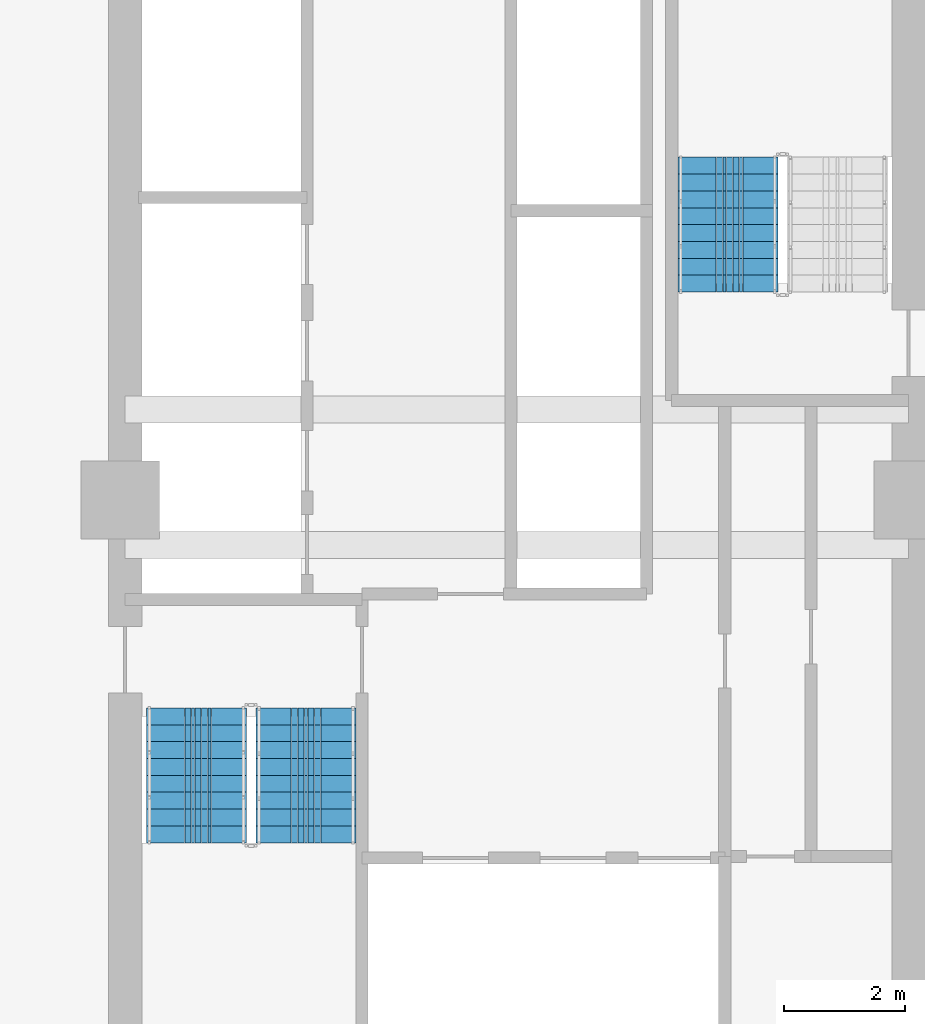
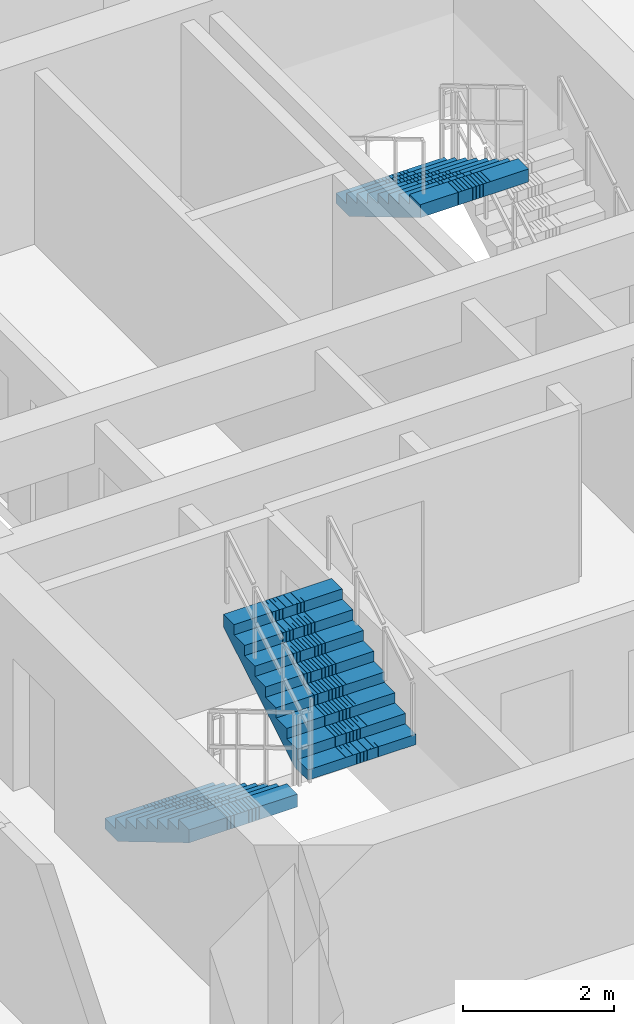
# One storey, part 9 of 14: 3 stair flights, 2 elements without a shape of their own.
"""IFC4 building model written with IfcOpenShell, lengths in metres."""

import ifcopenshell
import ifcopenshell.guid

model = None  # the IFC model being written
_history = None  # IfcOwnerHistory: only IFC2X3 demands one
_inside = {}  # id of a spatial element -> (the spatial element, [elements in it])
_under = {}  # id of a project, library or spatial element -> (it, [spatial elements below it])
_declared = {}  # id of a project -> (the project, [libraries it declares])
_typed = {}  # id of a type object -> (the type object, [elements of that type])
_made_of = {}  # id of a material, layer set ... -> (it, [elements and type objects made of it])


def new_model(schema):
    """Start an empty IFC model of exactly this schema.

    Asked for "IFC4X3", IfcOpenShell would pick the latest addendum, in which some entities
    have other attributes; the version numbers below select the first issue.
    IFC2X3 requires an IfcOwnerHistory on every rooted entity: one is made here for all.
    """
    global model, _history
    if schema == "IFC4X3":
        model = ifcopenshell.file(schema_version=(4, 3, 0, 0))
    else:
        model = ifcopenshell.file(schema=schema)
    _inside.clear()
    _under.clear()
    _declared.clear()
    _typed.clear()
    _made_of.clear()
    _history = None
    if model.schema == "IFC2X3":
        org = make("IfcOrganization", Name="unknown")
        user = make(
            "IfcPersonAndOrganization",
            ThePerson=make("IfcPerson", FamilyName="unknown"),
            TheOrganization=org,
        )
        app = make(
            "IfcApplication",
            ApplicationDeveloper=org,
            Version="unknown",
            ApplicationFullName="unknown",
            ApplicationIdentifier="unknown",
        )
        _history = make(
            "IfcOwnerHistory",
            OwningUser=user,
            OwningApplication=app,
            ChangeAction="ADDED",
            CreationDate=0,
        )
    return model


def make(cls, **values):
    """One entity of the class cls with the attributes given. An attribute that is None is left unset."""
    return model.create_entity(
        cls, **{name: value for name, value in values.items() if value is not None}
    )


def rooted(cls, **values):
    """An entity with a GlobalId (a new one), such as an element, a storey or a relation."""
    return make(cls, GlobalId=ifcopenshell.guid.new(), OwnerHistory=_history, **values)


def si_unit(unit_type, name, prefix=None):
    """IfcSIUnit, for example si_unit("LENGTHUNIT", "METRE", prefix="MILLI")."""
    return make("IfcSIUnit", UnitType=unit_type, Prefix=prefix, Name=name)


def assignment(units):
    """IfcUnitAssignment: the units of a project."""
    return None if units is None else make("IfcUnitAssignment", Units=units)


def point(xyz):
    """IfcCartesianPoint."""
    return None if xyz is None else make("IfcCartesianPoint", Coordinates=xyz)


def direction(xyz):
    """IfcDirection."""
    return None if xyz is None else make("IfcDirection", DirectionRatios=xyz)


def frame(location, z_axis=None, x_axis=None):
    """IfcAxis2Placement3D, a coordinate frame: its origin and axes. An axis left out is left unset."""
    return make(
        "IfcAxis2Placement3D",
        Location=point(location),
        Axis=direction(z_axis),
        RefDirection=direction(x_axis),
    )


def origin():
    """The frame at (0, 0, 0) with its axes left unset."""
    return frame((0.0, 0.0, 0.0))


def place(relative_to, where):
    """IfcLocalPlacement: puts the frame where relative to a parent placement (None: the world)."""
    return make(
        "IfcLocalPlacement", PlacementRelTo=relative_to, RelativePlacement=where
    )


def context(
    kind, dimensions, precision=None, world=None, true_north=None, identifier=None
):
    """IfcGeometricRepresentationContext, for example the 3D "Model" context."""
    return make(
        "IfcGeometricRepresentationContext",
        ContextIdentifier=identifier,
        ContextType=kind,
        CoordinateSpaceDimension=dimensions,
        Precision=precision,
        WorldCoordinateSystem=world,
        TrueNorth=true_north,
    )


def subcontext(parent, identifier, kind, view, scale=None):
    """IfcGeometricRepresentationSubContext, for example "Body" below "Model"."""
    return make(
        "IfcGeometricRepresentationSubContext",
        ContextIdentifier=identifier,
        ContextType=kind,
        ParentContext=parent,
        TargetScale=scale,
        TargetView=view,
    )


def project(units=None, contexts=None):
    """IfcProject with its units and contexts."""
    return rooted(
        "IfcProject",
        Name="project",
        RepresentationContexts=contexts,
        UnitsInContext=assignment(units),
    )


def spatial(cls, under=None, at=None, **own):
    """A site, building, storey or space (cls), placed at a placement, below another one or the project."""
    s = rooted(cls, ObjectPlacement=at, **own)
    if under is not None:
        _under.setdefault(under.id(), (under, []))[1].append(s)
    return s


def polyline(points):
    """IfcPolyline through the points."""
    return make("IfcPolyline", Points=[point(p) for p in points])


def outline(outer, holes=None, kind="AREA"):
    """IfcArbitraryClosedProfileDef: a profile drawn as a closed curve; with holes, ...WithVoids."""
    if holes is None:
        return make("IfcArbitraryClosedProfileDef", ProfileType=kind, OuterCurve=outer)
    return make(
        "IfcArbitraryProfileDefWithVoids",
        ProfileType=kind,
        OuterCurve=outer,
        InnerCurves=holes,
    )


def extrude(swept, where, along, depth):
    """IfcExtrudedAreaSolid: the profile swept, set in the frame where, extruded along a direction by depth."""
    return make(
        "IfcExtrudedAreaSolid",
        SweptArea=swept,
        Position=where,
        ExtrudedDirection=direction(along),
        Depth=depth,
    )


def shape(context_of_items, identifier, shape_type, items):
    """IfcShapeRepresentation: the items that make up one representation, for example the "Body"."""
    return make(
        "IfcShapeRepresentation",
        ContextOfItems=context_of_items,
        RepresentationIdentifier=identifier,
        RepresentationType=shape_type,
        Items=items,
    )


def material(Name=None, Category=None):
    """IfcMaterial."""
    return make("IfcMaterial", Name=Name, Category=Category)


def made_of(thing, what):
    """Note that an element or type object is made of a material, layer set ...; save() writes the relation."""
    if what is not None:
        _made_of.setdefault(what.id(), (what, []))[1].append(thing)
    return thing


def type_object(cls, material=None, **own):
    """A type object (cls), such as IfcWallType, which elements share."""
    return made_of(rooted(cls, **own), material)


def element(
    cls,
    number,
    at=None,
    inside=None,
    cuts=None,
    type_object=None,
    material=None,
    context=None,
    identifier="Body",
    shape_type=None,
    held_by="IfcProductDefinitionShape",
    body=None,
    shapes=None,
    **own,
):
    """One element of the class cls, such as IfcWall. Its Tag is "e" and its number.

    at: its placement. inside: the storey or other place that contains it. cuts: it is an
    opening in that element (IfcRelVoidsElement). A single representation is given by context,
    identifier, shape_type and body (its items); several are given by shapes. held_by: the class
    of the entity that holds the representations. save() writes the other relations.
    """
    e = rooted(cls, Tag="e%d" % number, ObjectPlacement=at, **own)
    if body is not None:
        shapes = [shape(context, identifier, shape_type, body)]
    if shapes is not None:
        e.Representation = make(held_by, Representations=shapes)
    if inside is not None:
        _inside.setdefault(inside.id(), (inside, []))[1].append(e)
    if cuts is not None:
        rooted(
            "IfcRelVoidsElement", RelatingBuildingElement=cuts, RelatedOpeningElement=e
        )
    if type_object is not None:
        _typed.setdefault(type_object.id(), (type_object, []))[1].append(e)
    return made_of(e, material)


def aggregate(whole, parts):
    """IfcRelAggregates: a whole, such as a stair, and the parts it consists of."""
    return rooted("IfcRelAggregates", RelatingObject=whole, RelatedObjects=parts)


def save(model, path):
    """Write the relations noted so far, then the file.

    IfcRelAggregates (storeys below a building ...), IfcRelContainedInSpatialStructure (elements
    in a storey), IfcRelDefinesByType, IfcRelAssociatesMaterial and IfcRelDeclares: one each for
    every whole, place, type object, material and project.
    """
    for whole, parts in _under.values():
        aggregate(whole, parts)
    for where, things in _inside.values():
        rooted(
            "IfcRelContainedInSpatialStructure",
            RelatedElements=things,
            RelatingStructure=where,
        )
    for kind, things in _typed.values():
        rooted("IfcRelDefinesByType", RelatedObjects=things, RelatingType=kind)
    for what, things in _made_of.values():
        rooted("IfcRelAssociatesMaterial", RelatedObjects=things, RelatingMaterial=what)
    for by, libraries in _declared.values():
        rooted("IfcRelDeclares", RelatingContext=by, RelatedDefinitions=libraries)
    model.write(path)


model = new_model("IFC4")

# Units and contexts
model_context = context("Model", 3, precision=1e-05, world=origin(), true_north=direction((0.0, 1.0)))
body_context = subcontext(model_context, "Body", "Model", "MODEL_VIEW")
ifc_project = project(units=[si_unit("LENGTHUNIT", "METRE"), si_unit("AREAUNIT", "SQUARE_METRE"), si_unit("VOLUMEUNIT", "CUBIC_METRE"), si_unit("PLANEANGLEUNIT", "RADIAN"), si_unit("MASSUNIT", "GRAM", prefix="KILO")], contexts=[model_context])

# Site, building, storey
site_placement = place(None, origin())
site = spatial("IfcSite", under=ifc_project, at=site_placement, CompositionType="ELEMENT")
building_placement = place(site_placement, origin())
building = spatial("IfcBuilding", under=site, at=building_placement, Name="Saelheon Loggia Tower", CompositionType="ELEMENT")
storey_placement = place(building_placement, frame((0.0, 0.0, 86.85009765625)))
storey = spatial("IfcBuildingStorey", under=building, at=storey_placement, Name="L27", CompositionType="ELEMENT", Elevation=86.85009765625)

# Stair, stair flights
ifc_material = material(Name="Concrete C40/50", Category="concrete")
stair_type = type_object("IfcStairType", Name="Stair_Escape_Core", PredefinedType="HALF_TURN_STAIR", material=ifc_material)
stair_1_placement = place(storey_placement, origin())
stair_1 = element("IfcStair", 1, at=stair_1_placement, inside=storey, type_object=stair_type, Name="L27 Special Escape Stair ST1", PredefinedType="HALF_TURN_STAIR")
stair_flight_type = type_object("IfcStairFlightType", Name="StairFlight_Tower_1660", PredefinedType="STRAIGHT", material=ifc_material)
stair_flight_1_placement = place(storey_placement, frame((32.679931640625, 23.550048828125, 0.0), z_axis=(0.0, 0.0, 1.0), x_axis=(0.0, -1.0, 0.0)))
stair_flight_1 = element("IfcStairFlight", 2, at=stair_flight_1_placement, type_object=stair_flight_type, Name="ST1 flight 1", NumberOfRisers=9, NumberOfTreads=8, PredefinedType="STRAIGHT", RiserHeight=0.166666667, TreadLength=0.28, context=body_context, shape_type="SweptSolid", body=[
    extrude(outline(polyline([(0.0, 0.0), (0.0, 0.166748046875), (0.280029296875, 0.166748046875), (0.280029296875, 0.333251953125), (0.56005859375, 0.333251953125), (0.56005859375, 0.5), (0.840087890625, 0.5), (0.840087890625, 0.666748046875), (1.1201171875, 0.666748046875), (1.1201171875, 0.833251953125), (1.39990234375, 0.833251953125), (1.39990234375, 1.0), (1.679931640625, 1.0), (1.679931640625, 1.166748046875), (1.9599609375, 1.166748046875), (1.9599609375, 1.333251953125), (2.239990234375, 1.333251953125), (2.239990234375, 1.5), (2.239990234375, 1.1240234375), (0.351806640625, 0.0), (0.0, 0.0)])), frame((0.0, -0.2490234375, 0.0), z_axis=(0.0, -1.0, 0.0), x_axis=(1.0, 0.0, 0.0)), (0.0, 0.0, 1.0), 0.5810546875),
    extrude(outline(polyline([(0.0, 0.0), (0.0, 0.166748046875), (0.280029296875, 0.166748046875), (0.280029296875, 0.333251953125), (0.56005859375, 0.333251953125), (0.56005859375, 0.5), (0.840087890625, 0.5), (0.840087890625, 0.666748046875), (1.1201171875, 0.666748046875), (1.1201171875, 0.833251953125), (1.39990234375, 0.833251953125), (1.39990234375, 1.0), (1.679931640625, 1.0), (1.679931640625, 1.166748046875), (1.9599609375, 1.166748046875), (1.9599609375, 1.333251953125), (2.239990234375, 1.333251953125), (2.239990234375, 1.5), (2.239990234375, 1.1240234375), (0.351806640625, 0.0), (0.0, 0.0)])), frame((0.0, -0.194091796875, 0.0), z_axis=(0.0, -1.0, 0.0), x_axis=(1.0, 0.0, 0.0)), (0.0, 0.0, 1.0), 0.0498046875),
    extrude(outline(polyline([(0.0, 0.0), (0.0, 0.166748046875), (0.280029296875, 0.166748046875), (0.280029296875, 0.333251953125), (0.56005859375, 0.333251953125), (0.56005859375, 0.5), (0.840087890625, 0.5), (0.840087890625, 0.666748046875), (1.1201171875, 0.666748046875), (1.1201171875, 0.833251953125), (1.39990234375, 0.833251953125), (1.39990234375, 1.0), (1.679931640625, 1.0), (1.679931640625, 1.166748046875), (1.9599609375, 1.166748046875), (1.9599609375, 1.333251953125), (2.239990234375, 1.333251953125), (2.239990234375, 1.5), (2.239990234375, 1.1240234375), (0.351806640625, 0.0), (0.0, 0.0)])), frame((0.0, -0.139404296875, 0.0), z_axis=(0.0, -1.0, 0.0), x_axis=(1.0, 0.0, 0.0)), (0.0, 0.0, 1.0), 0.0498046875),
    extrude(outline(polyline([(0.0, 0.0), (0.0, 0.166748046875), (0.280029296875, 0.166748046875), (0.280029296875, 0.333251953125), (0.56005859375, 0.333251953125), (0.56005859375, 0.5), (0.840087890625, 0.5), (0.840087890625, 0.666748046875), (1.1201171875, 0.666748046875), (1.1201171875, 0.833251953125), (1.39990234375, 0.833251953125), (1.39990234375, 1.0), (1.679931640625, 1.0), (1.679931640625, 1.166748046875), (1.9599609375, 1.166748046875), (1.9599609375, 1.333251953125), (2.239990234375, 1.333251953125), (2.239990234375, 1.5), (2.239990234375, 1.1240234375), (0.351806640625, 0.0), (0.0, 0.0)])), frame((0.0, -0.084716796875, 0.0), z_axis=(0.0, -1.0, 0.0), x_axis=(1.0, 0.0, 0.0)), (0.0, 0.0, 1.0), 0.0498046875),
    extrude(outline(polyline([(0.0, 0.0), (0.0, 0.166748046875), (0.280029296875, 0.166748046875), (0.280029296875, 0.333251953125), (0.56005859375, 0.333251953125), (0.56005859375, 0.5), (0.840087890625, 0.5), (0.840087890625, 0.666748046875), (1.1201171875, 0.666748046875), (1.1201171875, 0.833251953125), (1.39990234375, 0.833251953125), (1.39990234375, 1.0), (1.679931640625, 1.0), (1.679931640625, 1.166748046875), (1.9599609375, 1.166748046875), (1.9599609375, 1.333251953125), (2.239990234375, 1.333251953125), (2.239990234375, 1.5), (2.239990234375, 1.1240234375), (0.351806640625, 0.0), (0.0, 0.0)])), frame((0.0, -0.02978515625, 0.0), z_axis=(0.0, -1.0, 0.0), x_axis=(1.0, 0.0, 0.0)), (0.0, 0.0, 1.0), 0.0498046875),
    extrude(outline(polyline([(0.0, 0.0), (0.0, 0.166748046875), (0.280029296875, 0.166748046875), (0.280029296875, 0.333251953125), (0.56005859375, 0.333251953125), (0.56005859375, 0.5), (0.840087890625, 0.5), (0.840087890625, 0.666748046875), (1.1201171875, 0.666748046875), (1.1201171875, 0.833251953125), (1.39990234375, 0.833251953125), (1.39990234375, 1.0), (1.679931640625, 1.0), (1.679931640625, 1.166748046875), (1.9599609375, 1.166748046875), (1.9599609375, 1.333251953125), (2.239990234375, 1.333251953125), (2.239990234375, 1.5), (2.239990234375, 1.1240234375), (0.351806640625, 0.0), (0.0, 0.0)])), frame((0.0, 0.02490234375, 0.0), z_axis=(0.0, -1.0, 0.0), x_axis=(1.0, 0.0, 0.0)), (0.0, 0.0, 1.0), 0.0498046875),
    extrude(outline(polyline([(0.0, 0.0), (0.0, 0.166748046875), (0.280029296875, 0.166748046875), (0.280029296875, 0.333251953125), (0.56005859375, 0.333251953125), (0.56005859375, 0.5), (0.840087890625, 0.5), (0.840087890625, 0.666748046875), (1.1201171875, 0.666748046875), (1.1201171875, 0.833251953125), (1.39990234375, 0.833251953125), (1.39990234375, 1.0), (1.679931640625, 1.0), (1.679931640625, 1.166748046875), (1.9599609375, 1.166748046875), (1.9599609375, 1.333251953125), (2.239990234375, 1.333251953125), (2.239990234375, 1.5), (2.239990234375, 1.1240234375), (0.351806640625, 0.0), (0.0, 0.0)])), frame((0.0, 0.07958984375, 0.0), z_axis=(0.0, -1.0, 0.0), x_axis=(1.0, 0.0, 0.0)), (0.0, 0.0, 1.0), 0.0498046875),
    extrude(outline(polyline([(0.0, 0.0), (0.0, 0.166748046875), (0.280029296875, 0.166748046875), (0.280029296875, 0.333251953125), (0.56005859375, 0.333251953125), (0.56005859375, 0.5), (0.840087890625, 0.5), (0.840087890625, 0.666748046875), (1.1201171875, 0.666748046875), (1.1201171875, 0.833251953125), (1.39990234375, 0.833251953125), (1.39990234375, 1.0), (1.679931640625, 1.0), (1.679931640625, 1.166748046875), (1.9599609375, 1.166748046875), (1.9599609375, 1.333251953125), (2.239990234375, 1.333251953125), (2.239990234375, 1.5), (2.239990234375, 1.1240234375), (0.351806640625, 0.0), (0.0, 0.0)])), frame((0.0, 0.134521484375, 0.0), z_axis=(0.0, -1.0, 0.0), x_axis=(1.0, 0.0, 0.0)), (0.0, 0.0, 1.0), 0.0498046875),
    extrude(outline(polyline([(0.0, 0.0), (0.0, 0.166748046875), (0.280029296875, 0.166748046875), (0.280029296875, 0.333251953125), (0.56005859375, 0.333251953125), (0.56005859375, 0.5), (0.840087890625, 0.5), (0.840087890625, 0.666748046875), (1.1201171875, 0.666748046875), (1.1201171875, 0.833251953125), (1.39990234375, 0.833251953125), (1.39990234375, 1.0), (1.679931640625, 1.0), (1.679931640625, 1.166748046875), (1.9599609375, 1.166748046875), (1.9599609375, 1.333251953125), (2.239990234375, 1.333251953125), (2.239990234375, 1.5), (2.239990234375, 1.1240234375), (0.351806640625, 0.0), (0.0, 0.0)])), frame((0.0, 0.189208984375, 0.0), z_axis=(0.0, -1.0, 0.0), x_axis=(1.0, 0.0, 0.0)), (0.0, 0.0, 1.0), 0.0498046875),
    extrude(outline(polyline([(0.0, 0.0), (0.0, 0.166748046875), (0.280029296875, 0.166748046875), (0.280029296875, 0.333251953125), (0.56005859375, 0.333251953125), (0.56005859375, 0.5), (0.840087890625, 0.5), (0.840087890625, 0.666748046875), (1.1201171875, 0.666748046875), (1.1201171875, 0.833251953125), (1.39990234375, 0.833251953125), (1.39990234375, 1.0), (1.679931640625, 1.0), (1.679931640625, 1.166748046875), (1.9599609375, 1.166748046875), (1.9599609375, 1.333251953125), (2.239990234375, 1.333251953125), (2.239990234375, 1.5), (2.239990234375, 1.1240234375), (0.351806640625, 0.0), (0.0, 0.0)])), frame((0.0, 0.243896484375, 0.0), z_axis=(0.0, -1.0, 0.0), x_axis=(1.0, 0.0, 0.0)), (0.0, 0.0, 1.0), 0.0498046875),
    extrude(outline(polyline([(0.0, 0.0), (0.0, 0.166748046875), (0.280029296875, 0.166748046875), (0.280029296875, 0.333251953125), (0.56005859375, 0.333251953125), (0.56005859375, 0.5), (0.840087890625, 0.5), (0.840087890625, 0.666748046875), (1.1201171875, 0.666748046875), (1.1201171875, 0.833251953125), (1.39990234375, 0.833251953125), (1.39990234375, 1.0), (1.679931640625, 1.0), (1.679931640625, 1.166748046875), (1.9599609375, 1.166748046875), (1.9599609375, 1.333251953125), (2.239990234375, 1.333251953125), (2.239990234375, 1.5), (2.239990234375, 1.1240234375), (0.351806640625, 0.0), (0.0, 0.0)])), frame((0.0, 0.830078125, 0.0), z_axis=(0.0, -1.0, 0.0), x_axis=(1.0, 0.0, 0.0)), (0.0, 0.0, 1.0), 0.5810546875),
])
stair_flight_2_placement = place(storey_placement, frame((34.5, 21.31005859375, 1.5), z_axis=(0.0, 0.0, 1.0), x_axis=(0.0, 1.0, 0.0)))
stair_flight_2 = element("IfcStairFlight", 3, at=stair_flight_2_placement, type_object=stair_flight_type, Name="ST1 flight 2", NumberOfRisers=9, NumberOfTreads=8, PredefinedType="STRAIGHT", RiserHeight=0.166666667, TreadLength=0.28, context=body_context, shape_type="SweptSolid", body=[
    extrude(outline(polyline([(0.0, 0.0), (0.0, 0.166748046875), (0.280029296875, 0.166748046875), (0.280029296875, 0.333251953125), (0.56005859375, 0.333251953125), (0.56005859375, 0.5), (0.840087890625, 0.5), (0.840087890625, 0.666748046875), (1.1201171875, 0.666748046875), (1.1201171875, 0.833251953125), (1.39990234375, 0.833251953125), (1.39990234375, 1.0), (1.679931640625, 1.0), (1.679931640625, 1.166748046875), (1.9599609375, 1.166748046875), (1.9599609375, 1.333251953125), (2.239990234375, 1.333251953125), (2.239990234375, 1.5), (2.239990234375, 1.1240234375), (0.351806640625, 0.0), (0.0, 0.0)])), frame((0.0, -0.2490234375, 0.0), z_axis=(0.0, -1.0, 0.0), x_axis=(1.0, 0.0, 0.0)), (0.0, 0.0, 1.0), 0.5810546875),
    extrude(outline(polyline([(0.0, 0.0), (0.0, 0.166748046875), (0.280029296875, 0.166748046875), (0.280029296875, 0.333251953125), (0.56005859375, 0.333251953125), (0.56005859375, 0.5), (0.840087890625, 0.5), (0.840087890625, 0.666748046875), (1.1201171875, 0.666748046875), (1.1201171875, 0.833251953125), (1.39990234375, 0.833251953125), (1.39990234375, 1.0), (1.679931640625, 1.0), (1.679931640625, 1.166748046875), (1.9599609375, 1.166748046875), (1.9599609375, 1.333251953125), (2.239990234375, 1.333251953125), (2.239990234375, 1.5), (2.239990234375, 1.1240234375), (0.351806640625, 0.0), (0.0, 0.0)])), frame((0.0, -0.194091796875, 0.0), z_axis=(0.0, -1.0, 0.0), x_axis=(1.0, 0.0, 0.0)), (0.0, 0.0, 1.0), 0.0498046875),
    extrude(outline(polyline([(0.0, 0.0), (0.0, 0.166748046875), (0.280029296875, 0.166748046875), (0.280029296875, 0.333251953125), (0.56005859375, 0.333251953125), (0.56005859375, 0.5), (0.840087890625, 0.5), (0.840087890625, 0.666748046875), (1.1201171875, 0.666748046875), (1.1201171875, 0.833251953125), (1.39990234375, 0.833251953125), (1.39990234375, 1.0), (1.679931640625, 1.0), (1.679931640625, 1.166748046875), (1.9599609375, 1.166748046875), (1.9599609375, 1.333251953125), (2.239990234375, 1.333251953125), (2.239990234375, 1.5), (2.239990234375, 1.1240234375), (0.351806640625, 0.0), (0.0, 0.0)])), frame((0.0, -0.139404296875, 0.0), z_axis=(0.0, -1.0, 0.0), x_axis=(1.0, 0.0, 0.0)), (0.0, 0.0, 1.0), 0.0498046875),
    extrude(outline(polyline([(0.0, 0.0), (0.0, 0.166748046875), (0.280029296875, 0.166748046875), (0.280029296875, 0.333251953125), (0.56005859375, 0.333251953125), (0.56005859375, 0.5), (0.840087890625, 0.5), (0.840087890625, 0.666748046875), (1.1201171875, 0.666748046875), (1.1201171875, 0.833251953125), (1.39990234375, 0.833251953125), (1.39990234375, 1.0), (1.679931640625, 1.0), (1.679931640625, 1.166748046875), (1.9599609375, 1.166748046875), (1.9599609375, 1.333251953125), (2.239990234375, 1.333251953125), (2.239990234375, 1.5), (2.239990234375, 1.1240234375), (0.351806640625, 0.0), (0.0, 0.0)])), frame((0.0, -0.084716796875, 0.0), z_axis=(0.0, -1.0, 0.0), x_axis=(1.0, 0.0, 0.0)), (0.0, 0.0, 1.0), 0.0498046875),
    extrude(outline(polyline([(0.0, 0.0), (0.0, 0.166748046875), (0.280029296875, 0.166748046875), (0.280029296875, 0.333251953125), (0.56005859375, 0.333251953125), (0.56005859375, 0.5), (0.840087890625, 0.5), (0.840087890625, 0.666748046875), (1.1201171875, 0.666748046875), (1.1201171875, 0.833251953125), (1.39990234375, 0.833251953125), (1.39990234375, 1.0), (1.679931640625, 1.0), (1.679931640625, 1.166748046875), (1.9599609375, 1.166748046875), (1.9599609375, 1.333251953125), (2.239990234375, 1.333251953125), (2.239990234375, 1.5), (2.239990234375, 1.1240234375), (0.351806640625, 0.0), (0.0, 0.0)])), frame((0.0, -0.02978515625, 0.0), z_axis=(0.0, -1.0, 0.0), x_axis=(1.0, 0.0, 0.0)), (0.0, 0.0, 1.0), 0.0498046875),
    extrude(outline(polyline([(0.0, 0.0), (0.0, 0.166748046875), (0.280029296875, 0.166748046875), (0.280029296875, 0.333251953125), (0.56005859375, 0.333251953125), (0.56005859375, 0.5), (0.840087890625, 0.5), (0.840087890625, 0.666748046875), (1.1201171875, 0.666748046875), (1.1201171875, 0.833251953125), (1.39990234375, 0.833251953125), (1.39990234375, 1.0), (1.679931640625, 1.0), (1.679931640625, 1.166748046875), (1.9599609375, 1.166748046875), (1.9599609375, 1.333251953125), (2.239990234375, 1.333251953125), (2.239990234375, 1.5), (2.239990234375, 1.1240234375), (0.351806640625, 0.0), (0.0, 0.0)])), frame((0.0, 0.02490234375, 0.0), z_axis=(0.0, -1.0, 0.0), x_axis=(1.0, 0.0, 0.0)), (0.0, 0.0, 1.0), 0.0498046875),
    extrude(outline(polyline([(0.0, 0.0), (0.0, 0.166748046875), (0.280029296875, 0.166748046875), (0.280029296875, 0.333251953125), (0.56005859375, 0.333251953125), (0.56005859375, 0.5), (0.840087890625, 0.5), (0.840087890625, 0.666748046875), (1.1201171875, 0.666748046875), (1.1201171875, 0.833251953125), (1.39990234375, 0.833251953125), (1.39990234375, 1.0), (1.679931640625, 1.0), (1.679931640625, 1.166748046875), (1.9599609375, 1.166748046875), (1.9599609375, 1.333251953125), (2.239990234375, 1.333251953125), (2.239990234375, 1.5), (2.239990234375, 1.1240234375), (0.351806640625, 0.0), (0.0, 0.0)])), frame((0.0, 0.07958984375, 0.0), z_axis=(0.0, -1.0, 0.0), x_axis=(1.0, 0.0, 0.0)), (0.0, 0.0, 1.0), 0.0498046875),
    extrude(outline(polyline([(0.0, 0.0), (0.0, 0.166748046875), (0.280029296875, 0.166748046875), (0.280029296875, 0.333251953125), (0.56005859375, 0.333251953125), (0.56005859375, 0.5), (0.840087890625, 0.5), (0.840087890625, 0.666748046875), (1.1201171875, 0.666748046875), (1.1201171875, 0.833251953125), (1.39990234375, 0.833251953125), (1.39990234375, 1.0), (1.679931640625, 1.0), (1.679931640625, 1.166748046875), (1.9599609375, 1.166748046875), (1.9599609375, 1.333251953125), (2.239990234375, 1.333251953125), (2.239990234375, 1.5), (2.239990234375, 1.1240234375), (0.351806640625, 0.0), (0.0, 0.0)])), frame((0.0, 0.134521484375, 0.0), z_axis=(0.0, -1.0, 0.0), x_axis=(1.0, 0.0, 0.0)), (0.0, 0.0, 1.0), 0.0498046875),
    extrude(outline(polyline([(0.0, 0.0), (0.0, 0.166748046875), (0.280029296875, 0.166748046875), (0.280029296875, 0.333251953125), (0.56005859375, 0.333251953125), (0.56005859375, 0.5), (0.840087890625, 0.5), (0.840087890625, 0.666748046875), (1.1201171875, 0.666748046875), (1.1201171875, 0.833251953125), (1.39990234375, 0.833251953125), (1.39990234375, 1.0), (1.679931640625, 1.0), (1.679931640625, 1.166748046875), (1.9599609375, 1.166748046875), (1.9599609375, 1.333251953125), (2.239990234375, 1.333251953125), (2.239990234375, 1.5), (2.239990234375, 1.1240234375), (0.351806640625, 0.0), (0.0, 0.0)])), frame((0.0, 0.189208984375, 0.0), z_axis=(0.0, -1.0, 0.0), x_axis=(1.0, 0.0, 0.0)), (0.0, 0.0, 1.0), 0.0498046875),
    extrude(outline(polyline([(0.0, 0.0), (0.0, 0.166748046875), (0.280029296875, 0.166748046875), (0.280029296875, 0.333251953125), (0.56005859375, 0.333251953125), (0.56005859375, 0.5), (0.840087890625, 0.5), (0.840087890625, 0.666748046875), (1.1201171875, 0.666748046875), (1.1201171875, 0.833251953125), (1.39990234375, 0.833251953125), (1.39990234375, 1.0), (1.679931640625, 1.0), (1.679931640625, 1.166748046875), (1.9599609375, 1.166748046875), (1.9599609375, 1.333251953125), (2.239990234375, 1.333251953125), (2.239990234375, 1.5), (2.239990234375, 1.1240234375), (0.351806640625, 0.0), (0.0, 0.0)])), frame((0.0, 0.243896484375, 0.0), z_axis=(0.0, -1.0, 0.0), x_axis=(1.0, 0.0, 0.0)), (0.0, 0.0, 1.0), 0.0498046875),
    extrude(outline(polyline([(0.0, 0.0), (0.0, 0.166748046875), (0.280029296875, 0.166748046875), (0.280029296875, 0.333251953125), (0.56005859375, 0.333251953125), (0.56005859375, 0.5), (0.840087890625, 0.5), (0.840087890625, 0.666748046875), (1.1201171875, 0.666748046875), (1.1201171875, 0.833251953125), (1.39990234375, 0.833251953125), (1.39990234375, 1.0), (1.679931640625, 1.0), (1.679931640625, 1.166748046875), (1.9599609375, 1.166748046875), (1.9599609375, 1.333251953125), (2.239990234375, 1.333251953125), (2.239990234375, 1.5), (2.239990234375, 1.1240234375), (0.351806640625, 0.0), (0.0, 0.0)])), frame((0.0, 0.830078125, 0.0), z_axis=(0.0, -1.0, 0.0), x_axis=(1.0, 0.0, 0.0)), (0.0, 0.0, 1.0), 0.5810546875),
])
aggregate(stair_1, [stair_flight_1, stair_flight_2])

# Stair, stair flight
stair_2_placement = place(storey_placement, origin())
stair_2 = element("IfcStair", 4, at=stair_2_placement, inside=storey, type_object=stair_type, Name="L27 Special Escape Stair ST2", PredefinedType="HALF_TURN_STAIR")
stair_flight_3_placement = place(storey_placement, frame((41.5, 32.68994140625, 1.5), z_axis=(0.0, 0.0, 1.0), x_axis=(0.0, -1.0, 0.0)))
stair_flight_3 = element("IfcStairFlight", 5, at=stair_flight_3_placement, type_object=stair_flight_type, Name="ST2 flight 2", NumberOfRisers=9, NumberOfTreads=8, PredefinedType="STRAIGHT", RiserHeight=0.166666667, TreadLength=0.28, context=body_context, shape_type="SweptSolid", body=[
    extrude(outline(polyline([(0.0, 0.0), (0.0, 0.166748046875), (0.280029296875, 0.166748046875), (0.280029296875, 0.333251953125), (0.56005859375, 0.333251953125), (0.56005859375, 0.5), (0.840087890625, 0.5), (0.840087890625, 0.666748046875), (1.1201171875, 0.666748046875), (1.1201171875, 0.833251953125), (1.39990234375, 0.833251953125), (1.39990234375, 1.0), (1.679931640625, 1.0), (1.679931640625, 1.166748046875), (1.9599609375, 1.166748046875), (1.9599609375, 1.333251953125), (2.239990234375, 1.333251953125), (2.239990234375, 1.5), (2.239990234375, 1.1240234375), (0.351806640625, 0.0), (0.0, 0.0)])), frame((0.0, -0.2490234375, 0.0), z_axis=(0.0, -1.0, 0.0), x_axis=(1.0, 0.0, 0.0)), (0.0, 0.0, 1.0), 0.5810546875),
    extrude(outline(polyline([(0.0, 0.0), (0.0, 0.166748046875), (0.280029296875, 0.166748046875), (0.280029296875, 0.333251953125), (0.56005859375, 0.333251953125), (0.56005859375, 0.5), (0.840087890625, 0.5), (0.840087890625, 0.666748046875), (1.1201171875, 0.666748046875), (1.1201171875, 0.833251953125), (1.39990234375, 0.833251953125), (1.39990234375, 1.0), (1.679931640625, 1.0), (1.679931640625, 1.166748046875), (1.9599609375, 1.166748046875), (1.9599609375, 1.333251953125), (2.239990234375, 1.333251953125), (2.239990234375, 1.5), (2.239990234375, 1.1240234375), (0.351806640625, 0.0), (0.0, 0.0)])), frame((0.0, -0.194091796875, 0.0), z_axis=(0.0, -1.0, 0.0), x_axis=(1.0, 0.0, 0.0)), (0.0, 0.0, 1.0), 0.0498046875),
    extrude(outline(polyline([(0.0, 0.0), (0.0, 0.166748046875), (0.280029296875, 0.166748046875), (0.280029296875, 0.333251953125), (0.56005859375, 0.333251953125), (0.56005859375, 0.5), (0.840087890625, 0.5), (0.840087890625, 0.666748046875), (1.1201171875, 0.666748046875), (1.1201171875, 0.833251953125), (1.39990234375, 0.833251953125), (1.39990234375, 1.0), (1.679931640625, 1.0), (1.679931640625, 1.166748046875), (1.9599609375, 1.166748046875), (1.9599609375, 1.333251953125), (2.239990234375, 1.333251953125), (2.239990234375, 1.5), (2.239990234375, 1.1240234375), (0.351806640625, 0.0), (0.0, 0.0)])), frame((0.0, -0.139404296875, 0.0), z_axis=(0.0, -1.0, 0.0), x_axis=(1.0, 0.0, 0.0)), (0.0, 0.0, 1.0), 0.0498046875),
    extrude(outline(polyline([(0.0, 0.0), (0.0, 0.166748046875), (0.280029296875, 0.166748046875), (0.280029296875, 0.333251953125), (0.56005859375, 0.333251953125), (0.56005859375, 0.5), (0.840087890625, 0.5), (0.840087890625, 0.666748046875), (1.1201171875, 0.666748046875), (1.1201171875, 0.833251953125), (1.39990234375, 0.833251953125), (1.39990234375, 1.0), (1.679931640625, 1.0), (1.679931640625, 1.166748046875), (1.9599609375, 1.166748046875), (1.9599609375, 1.333251953125), (2.239990234375, 1.333251953125), (2.239990234375, 1.5), (2.239990234375, 1.1240234375), (0.351806640625, 0.0), (0.0, 0.0)])), frame((0.0, -0.084716796875, 0.0), z_axis=(0.0, -1.0, 0.0), x_axis=(1.0, 0.0, 0.0)), (0.0, 0.0, 1.0), 0.0498046875),
    extrude(outline(polyline([(0.0, 0.0), (0.0, 0.166748046875), (0.280029296875, 0.166748046875), (0.280029296875, 0.333251953125), (0.56005859375, 0.333251953125), (0.56005859375, 0.5), (0.840087890625, 0.5), (0.840087890625, 0.666748046875), (1.1201171875, 0.666748046875), (1.1201171875, 0.833251953125), (1.39990234375, 0.833251953125), (1.39990234375, 1.0), (1.679931640625, 1.0), (1.679931640625, 1.166748046875), (1.9599609375, 1.166748046875), (1.9599609375, 1.333251953125), (2.239990234375, 1.333251953125), (2.239990234375, 1.5), (2.239990234375, 1.1240234375), (0.351806640625, 0.0), (0.0, 0.0)])), frame((0.0, -0.02978515625, 0.0), z_axis=(0.0, -1.0, 0.0), x_axis=(1.0, 0.0, 0.0)), (0.0, 0.0, 1.0), 0.0498046875),
    extrude(outline(polyline([(0.0, 0.0), (0.0, 0.166748046875), (0.280029296875, 0.166748046875), (0.280029296875, 0.333251953125), (0.56005859375, 0.333251953125), (0.56005859375, 0.5), (0.840087890625, 0.5), (0.840087890625, 0.666748046875), (1.1201171875, 0.666748046875), (1.1201171875, 0.833251953125), (1.39990234375, 0.833251953125), (1.39990234375, 1.0), (1.679931640625, 1.0), (1.679931640625, 1.166748046875), (1.9599609375, 1.166748046875), (1.9599609375, 1.333251953125), (2.239990234375, 1.333251953125), (2.239990234375, 1.5), (2.239990234375, 1.1240234375), (0.351806640625, 0.0), (0.0, 0.0)])), frame((0.0, 0.02490234375, 0.0), z_axis=(0.0, -1.0, 0.0), x_axis=(1.0, 0.0, 0.0)), (0.0, 0.0, 1.0), 0.0498046875),
    extrude(outline(polyline([(0.0, 0.0), (0.0, 0.166748046875), (0.280029296875, 0.166748046875), (0.280029296875, 0.333251953125), (0.56005859375, 0.333251953125), (0.56005859375, 0.5), (0.840087890625, 0.5), (0.840087890625, 0.666748046875), (1.1201171875, 0.666748046875), (1.1201171875, 0.833251953125), (1.39990234375, 0.833251953125), (1.39990234375, 1.0), (1.679931640625, 1.0), (1.679931640625, 1.166748046875), (1.9599609375, 1.166748046875), (1.9599609375, 1.333251953125), (2.239990234375, 1.333251953125), (2.239990234375, 1.5), (2.239990234375, 1.1240234375), (0.351806640625, 0.0), (0.0, 0.0)])), frame((0.0, 0.07958984375, 0.0), z_axis=(0.0, -1.0, 0.0), x_axis=(1.0, 0.0, 0.0)), (0.0, 0.0, 1.0), 0.0498046875),
    extrude(outline(polyline([(0.0, 0.0), (0.0, 0.166748046875), (0.280029296875, 0.166748046875), (0.280029296875, 0.333251953125), (0.56005859375, 0.333251953125), (0.56005859375, 0.5), (0.840087890625, 0.5), (0.840087890625, 0.666748046875), (1.1201171875, 0.666748046875), (1.1201171875, 0.833251953125), (1.39990234375, 0.833251953125), (1.39990234375, 1.0), (1.679931640625, 1.0), (1.679931640625, 1.166748046875), (1.9599609375, 1.166748046875), (1.9599609375, 1.333251953125), (2.239990234375, 1.333251953125), (2.239990234375, 1.5), (2.239990234375, 1.1240234375), (0.351806640625, 0.0), (0.0, 0.0)])), frame((0.0, 0.134521484375, 0.0), z_axis=(0.0, -1.0, 0.0), x_axis=(1.0, 0.0, 0.0)), (0.0, 0.0, 1.0), 0.0498046875),
    extrude(outline(polyline([(0.0, 0.0), (0.0, 0.166748046875), (0.280029296875, 0.166748046875), (0.280029296875, 0.333251953125), (0.56005859375, 0.333251953125), (0.56005859375, 0.5), (0.840087890625, 0.5), (0.840087890625, 0.666748046875), (1.1201171875, 0.666748046875), (1.1201171875, 0.833251953125), (1.39990234375, 0.833251953125), (1.39990234375, 1.0), (1.679931640625, 1.0), (1.679931640625, 1.166748046875), (1.9599609375, 1.166748046875), (1.9599609375, 1.333251953125), (2.239990234375, 1.333251953125), (2.239990234375, 1.5), (2.239990234375, 1.1240234375), (0.351806640625, 0.0), (0.0, 0.0)])), frame((0.0, 0.189208984375, 0.0), z_axis=(0.0, -1.0, 0.0), x_axis=(1.0, 0.0, 0.0)), (0.0, 0.0, 1.0), 0.0498046875),
    extrude(outline(polyline([(0.0, 0.0), (0.0, 0.166748046875), (0.280029296875, 0.166748046875), (0.280029296875, 0.333251953125), (0.56005859375, 0.333251953125), (0.56005859375, 0.5), (0.840087890625, 0.5), (0.840087890625, 0.666748046875), (1.1201171875, 0.666748046875), (1.1201171875, 0.833251953125), (1.39990234375, 0.833251953125), (1.39990234375, 1.0), (1.679931640625, 1.0), (1.679931640625, 1.166748046875), (1.9599609375, 1.166748046875), (1.9599609375, 1.333251953125), (2.239990234375, 1.333251953125), (2.239990234375, 1.5), (2.239990234375, 1.1240234375), (0.351806640625, 0.0), (0.0, 0.0)])), frame((0.0, 0.243896484375, 0.0), z_axis=(0.0, -1.0, 0.0), x_axis=(1.0, 0.0, 0.0)), (0.0, 0.0, 1.0), 0.0498046875),
    extrude(outline(polyline([(0.0, 0.0), (0.0, 0.166748046875), (0.280029296875, 0.166748046875), (0.280029296875, 0.333251953125), (0.56005859375, 0.333251953125), (0.56005859375, 0.5), (0.840087890625, 0.5), (0.840087890625, 0.666748046875), (1.1201171875, 0.666748046875), (1.1201171875, 0.833251953125), (1.39990234375, 0.833251953125), (1.39990234375, 1.0), (1.679931640625, 1.0), (1.679931640625, 1.166748046875), (1.9599609375, 1.166748046875), (1.9599609375, 1.333251953125), (2.239990234375, 1.333251953125), (2.239990234375, 1.5), (2.239990234375, 1.1240234375), (0.351806640625, 0.0), (0.0, 0.0)])), frame((0.0, 0.830078125, 0.0), z_axis=(0.0, -1.0, 0.0), x_axis=(1.0, 0.0, 0.0)), (0.0, 0.0, 1.0), 0.5810546875),
])
aggregate(stair_2, [stair_flight_3])

save(model, "model.ifc")
